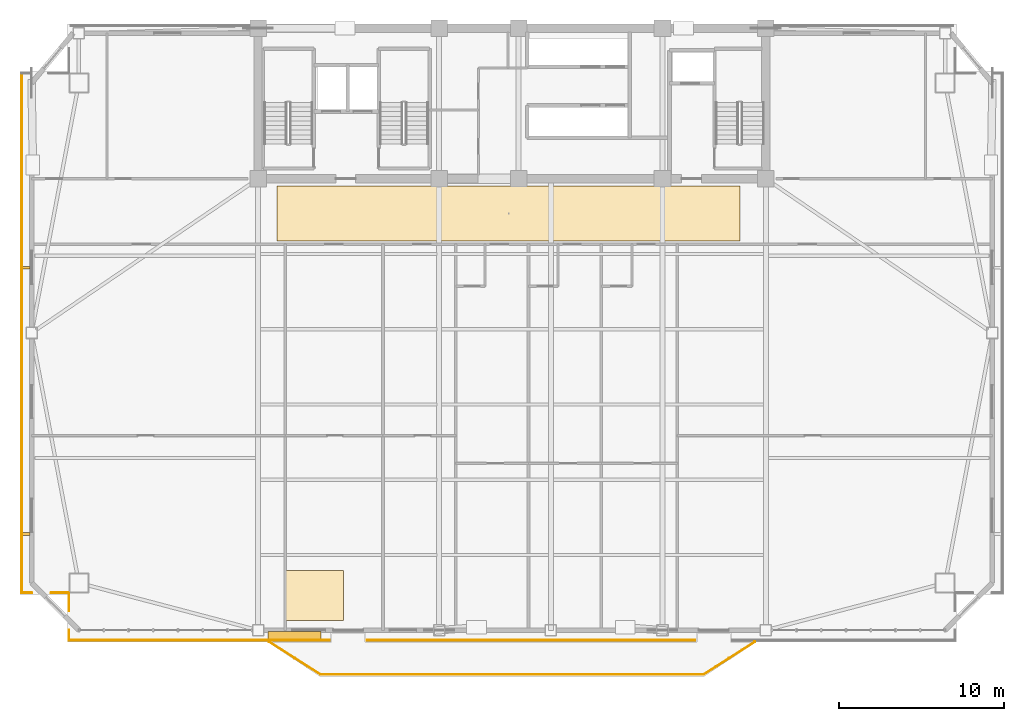
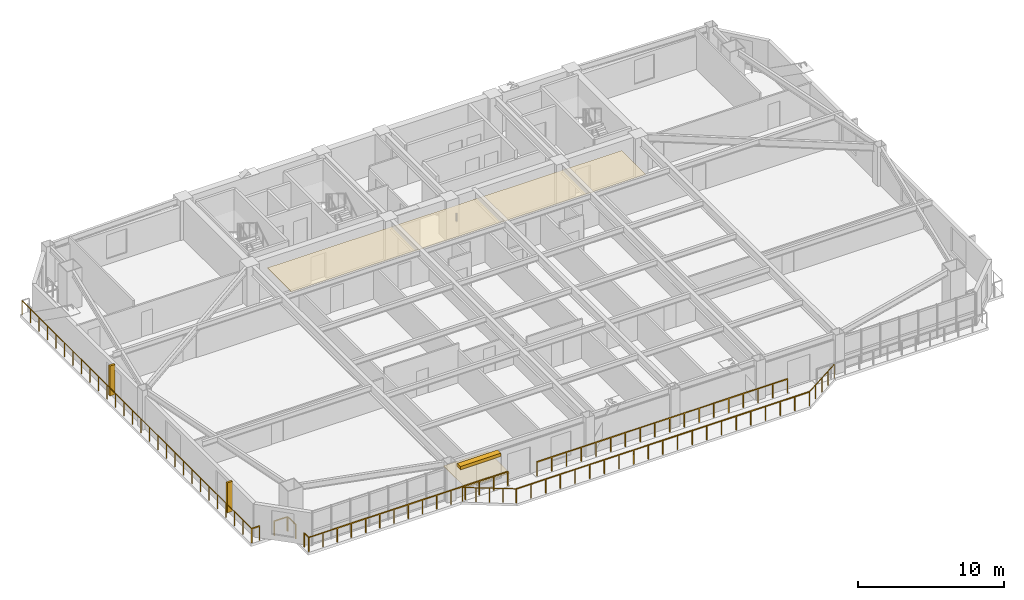
# One storey, part 12 of 15: 10 railings, 3 shading devices, 2 coverings.
"""IFC4 building model written with IfcOpenShell, lengths in metres."""

from ifc_helpers import new_model, si_unit, direction, frame, origin, origin_2d, place, context, subcontext, project, spatial, polyline, rectangle, outline, extrude, source, transform, mapped, material, layer, layer_set, type_object, element, save


model = new_model("IFC4")

# Units and contexts
model_context = context("Model", 3, precision=1e-05, world=origin(), true_north=direction((0.0, 1.0)))
body_context = subcontext(model_context, "Body", "Model", "MODEL_VIEW")
ifc_project = project(units=[si_unit("LENGTHUNIT", "METRE"), si_unit("AREAUNIT", "SQUARE_METRE"), si_unit("VOLUMEUNIT", "CUBIC_METRE"), si_unit("PLANEANGLEUNIT", "RADIAN"), si_unit("MASSUNIT", "GRAM", prefix="KILO")], contexts=[model_context])

# Site, building, storey
site_placement = place(None, origin())
site = spatial("IfcSite", under=ifc_project, at=site_placement, CompositionType="ELEMENT")
building_placement = place(site_placement, origin())
building = spatial("IfcBuilding", under=site, at=building_placement, Name="Giltprow Tower", CompositionType="ELEMENT")
storey_placement = place(building_placement, frame((0.0, 0.0, 180.699951171875)))
storey = spatial("IfcBuildingStorey", under=building, at=storey_placement, Name="L45", CompositionType="ELEMENT", Elevation=180.699951171875)

# Coverings
ifc_material_1 = material(Name="Painted gypsum board", Category="gypsum")
ifc_layer_1 = layer(ifc_material_1, 0.030029296875, Name="Painted gypsum board")
ifc_layer_set_1 = layer_set([ifc_layer_1], Name="Painted gypsum board")
covering_type_1 = type_object("IfcCoveringType", Name="COV-CLG-GYPSUM", PredefinedType="CEILING", material=ifc_layer_set_1)
covering_1_placement = place(storey_placement, frame((0.0, 0.0, 2.6201171875)))
element("IfcCovering", 1, at=covering_1_placement, inside=storey, type_object=covering_type_1, Name="L45 Hotel Corridor Gypsum Ceiling", PredefinedType="CEILING", context=body_context, shape_type="SweptSolid", body=[
    extrude(outline(polyline([(21.0, 33.699951171875), (49.0, 33.699951171875), (49.0, 37.0), (21.0, 37.0), (21.0, 33.699951171875)])), origin(), (0.0, 0.0, 1.0), 0.030029296875),
])
ifc_material_2 = material(Name="Engineered oak", Category="wood")
ifc_layer_2 = layer(ifc_material_2, 0.02490234375, Name="Engineered oak")
ifc_layer_set_2 = layer_set([ifc_layer_2], Name="Engineered oak")
covering_type_2 = type_object("IfcCoveringType", Name="COV-FLR-TIMBER", PredefinedType="FLOORING", material=ifc_layer_set_2)
covering_2_placement = place(storey_placement, origin())
element("IfcCovering", 2, at=covering_2_placement, inside=storey, type_object=covering_type_2, Name="L45 Engineered Oak Guestroom Flooring", PredefinedType="FLOORING", context=body_context, shape_type="SweptSolid", body=[
    extrude(outline(polyline([(21.5, 10.75390625), (25.0, 10.75390625), (25.0, 13.75390625), (21.5, 13.75390625), (21.5, 10.75390625)])), origin(), (0.0, 0.0, 1.0), 0.025146484375),
])

# Railings
ifc_material_3 = material(Name="Anodized bronze", Category="metal")
railing_type = type_object("IfcRailingType", Name="RAIL-BALC-GUARD-1200", PredefinedType="BALUSTRADE", material=ifc_material_3)
railing_1_placement = place(storey_placement, frame((20.52001953125, 9.4541015625, 0.0)))
element("IfcRailing", 3, at=railing_1_placement, inside=storey, type_object=railing_type, Name="L45 Waterfront Balcony Balustrade Seg 1", PredefinedType="BALUSTRADE", context=body_context, shape_type="SweptSolid", body=[
    extrude(rectangle(XDim=0.048095703125, YDim=0.048095703125, at=origin_2d()), frame((0.0, 0.0, 1.17578125), z_axis=(0.84277487735, -0.538266203757, 0.0), x_axis=(0.538266203757, 0.84277487735, 0.0)), (0.0, 0.0, 1.0), 3.678466796875),
    extrude(rectangle(XDim=0.0419921875, YDim=0.0419921875, at=origin_2d()), origin(), (0.0, 0.0, 1.0), 1.15185546875),
    extrude(rectangle(XDim=0.0419921875, YDim=0.0419921875, at=origin_2d()), frame((0.77490234375, -0.4951171875, 0.0)), (0.0, 0.0, 1.0), 1.15185546875),
    extrude(rectangle(XDim=0.0419921875, YDim=0.0419921875, at=origin_2d()), frame((1.550048828125, -0.989990234375, 0.0)), (0.0, 0.0, 1.0), 1.15185546875),
    extrude(rectangle(XDim=0.0419921875, YDim=0.0419921875, at=origin_2d()), frame((2.3251953125, -1.48486328125, 0.0)), (0.0, 0.0, 1.0), 1.15185546875),
    extrude(rectangle(XDim=0.0419921875, YDim=0.0419921875, at=origin_2d()), frame((3.10009765625, -1.97998046875, 0.0)), (0.0, 0.0, 1.0), 1.15185546875),
])
railing_2_placement = place(storey_placement, frame((23.6201171875, 7.47412109375, 0.0)))
element("IfcRailing", 4, at=railing_2_placement, inside=storey, type_object=railing_type, Name="L45 Waterfront Balcony Balustrade Seg 2", PredefinedType="BALUSTRADE", context=body_context, shape_type="SweptSolid", body=[
    extrude(rectangle(XDim=0.048095703125, YDim=0.048095703125, at=origin_2d()), frame((0.0, 0.0, 1.17578125), z_axis=(1.0, 0.0, 0.0), x_axis=(0.0, 1.0, 0.0)), (0.0, 0.0, 1.0), 23.159912109375),
    extrude(rectangle(XDim=0.0419921875, YDim=0.0419921875, at=origin_2d()), origin(), (0.0, 0.0, 1.0), 1.15185546875),
    extrude(rectangle(XDim=0.0419921875, YDim=0.0419921875, at=origin_2d()), frame((1.157958984375, 0.0, 0.0)), (0.0, 0.0, 1.0), 1.15185546875),
    extrude(rectangle(XDim=0.0419921875, YDim=0.0419921875, at=origin_2d()), frame((2.31591796875, 0.0, 0.0)), (0.0, 0.0, 1.0), 1.15185546875),
    extrude(rectangle(XDim=0.0419921875, YDim=0.0419921875, at=origin_2d()), frame((3.473876953125, 0.0, 0.0)), (0.0, 0.0, 1.0), 1.15185546875),
    extrude(rectangle(XDim=0.0419921875, YDim=0.0419921875, at=origin_2d()), frame((4.632080078125, 0.0, 0.0)), (0.0, 0.0, 1.0), 1.15185546875),
    extrude(rectangle(XDim=0.0419921875, YDim=0.0419921875, at=origin_2d()), frame((5.7900390625, 0.0, 0.0)), (0.0, 0.0, 1.0), 1.15185546875),
    extrude(rectangle(XDim=0.0419921875, YDim=0.0419921875, at=origin_2d()), frame((6.947998046875, 0.0, 0.0)), (0.0, 0.0, 1.0), 1.15185546875),
    extrude(rectangle(XDim=0.0419921875, YDim=0.0419921875, at=origin_2d()), frame((8.10595703125, 0.0, 0.0)), (0.0, 0.0, 1.0), 1.15185546875),
    extrude(rectangle(XDim=0.0419921875, YDim=0.0419921875, at=origin_2d()), frame((9.263916015625, 0.0, 0.0)), (0.0, 0.0, 1.0), 1.15185546875),
    extrude(rectangle(XDim=0.0419921875, YDim=0.0419921875, at=origin_2d()), frame((10.421875, 0.0, 0.0)), (0.0, 0.0, 1.0), 1.15185546875),
    extrude(rectangle(XDim=0.0419921875, YDim=0.0419921875, at=origin_2d()), frame((11.580078125, 0.0, 0.0)), (0.0, 0.0, 1.0), 1.15185546875),
    extrude(rectangle(XDim=0.0419921875, YDim=0.0419921875, at=origin_2d()), frame((12.738037109375, 0.0, 0.0)), (0.0, 0.0, 1.0), 1.15185546875),
    extrude(rectangle(XDim=0.0419921875, YDim=0.0419921875, at=origin_2d()), frame((13.89599609375, 0.0, 0.0)), (0.0, 0.0, 1.0), 1.15185546875),
    extrude(rectangle(XDim=0.0419921875, YDim=0.0419921875, at=origin_2d()), frame((15.053955078125, 0.0, 0.0)), (0.0, 0.0, 1.0), 1.15185546875),
    extrude(rectangle(XDim=0.0419921875, YDim=0.0419921875, at=origin_2d()), frame((16.2119140625, 0.0, 0.0)), (0.0, 0.0, 1.0), 1.15185546875),
    extrude(rectangle(XDim=0.0419921875, YDim=0.0419921875, at=origin_2d()), frame((17.369873046875, 0.0, 0.0)), (0.0, 0.0, 1.0), 1.15185546875),
    extrude(rectangle(XDim=0.0419921875, YDim=0.0419921875, at=origin_2d()), frame((18.52783203125, 0.0, 0.0)), (0.0, 0.0, 1.0), 1.15185546875),
    extrude(rectangle(XDim=0.0419921875, YDim=0.0419921875, at=origin_2d()), frame((19.68603515625, 0.0, 0.0)), (0.0, 0.0, 1.0), 1.15185546875),
    extrude(rectangle(XDim=0.0419921875, YDim=0.0419921875, at=origin_2d()), frame((20.843994140625, 0.0, 0.0)), (0.0, 0.0, 1.0), 1.15185546875),
    extrude(rectangle(XDim=0.0419921875, YDim=0.0419921875, at=origin_2d()), frame((22.001953125, 0.0, 0.0)), (0.0, 0.0, 1.0), 1.15185546875),
    extrude(rectangle(XDim=0.0419921875, YDim=0.0419921875, at=origin_2d()), frame((23.159912109375, 0.0, 0.0)), (0.0, 0.0, 1.0), 1.15185546875),
])
railing_3_placement = place(storey_placement, frame((46.780029296875, 7.47412109375, 0.0)))
element("IfcRailing", 5, at=railing_3_placement, inside=storey, type_object=railing_type, Name="L45 Waterfront Balcony Balustrade Seg 3", PredefinedType="BALUSTRADE", context=body_context, shape_type="SweptSolid", body=[
    extrude(rectangle(XDim=0.048095703125, YDim=0.048095703125, at=origin_2d()), frame((0.0, 0.0, 1.17578125), z_axis=(0.842755646126, 0.538296313309, 0.0), x_axis=(-0.538296313309, 0.842755646126, 0.0)), (0.0, 0.0, 1.0), 3.67822265625),
    extrude(rectangle(XDim=0.0419921875, YDim=0.0419921875, at=origin_2d()), origin(), (0.0, 0.0, 1.0), 1.15185546875),
    extrude(rectangle(XDim=0.0419921875, YDim=0.0419921875, at=origin_2d()), frame((0.77490234375, 0.4951171875, 0.0)), (0.0, 0.0, 1.0), 1.15185546875),
    extrude(rectangle(XDim=0.0419921875, YDim=0.0419921875, at=origin_2d()), frame((1.5498046875, 0.989990234375, 0.0)), (0.0, 0.0, 1.0), 1.15185546875),
    extrude(rectangle(XDim=0.0419921875, YDim=0.0419921875, at=origin_2d()), frame((2.324951171875, 1.48486328125, 0.0)), (0.0, 0.0, 1.0), 1.15185546875),
    extrude(rectangle(XDim=0.0419921875, YDim=0.0419921875, at=origin_2d()), frame((3.099853515625, 1.97998046875, 0.0)), (0.0, 0.0, 1.0), 1.15185546875),
])
railing_4_placement = place(storey_placement, frame((8.4150390625, 9.553955078125, 0.0)))
element("IfcRailing", 6, at=railing_4_placement, inside=storey, type_object=railing_type, Name="L45 Corner Apron Edge Balustrade 1", PredefinedType="BALUSTRADE", context=body_context, shape_type="SweptSolid", body=[
    extrude(rectangle(XDim=0.048095703125, YDim=0.048095703125, at=origin_2d()), frame((0.0, 0.0, 1.17578125), z_axis=(0.0, 1.0, 0.0), x_axis=(-1.0, 0.0, 0.0)), (0.0, 0.0, 1.0), 0.6201171875),
    extrude(rectangle(XDim=0.0419921875, YDim=0.0419921875, at=origin_2d()), origin(), (0.0, 0.0, 1.0), 1.15185546875),
    extrude(rectangle(XDim=0.0419921875, YDim=0.0419921875, at=origin_2d()), frame((0.0, 0.6201171875, 0.0)), (0.0, 0.0, 1.0), 1.15185546875),
])
railing_5_placement = place(storey_placement, frame((8.4150390625, 11.333984375, 0.0)))
element("IfcRailing", 7, at=railing_5_placement, inside=storey, type_object=railing_type, Name="L45 Corner Apron Edge Balustrade 2", PredefinedType="BALUSTRADE", context=body_context, shape_type="SweptSolid", body=[
    extrude(rectangle(XDim=0.048095703125, YDim=0.048095703125, at=origin_2d()), frame((0.0, 0.0, 1.17578125), z_axis=(0.0, 1.0, 0.0), x_axis=(-1.0, 0.0, 0.0)), (0.0, 0.0, 1.0), 1.0458984375),
    extrude(rectangle(XDim=0.0419921875, YDim=0.0419921875, at=origin_2d()), origin(), (0.0, 0.0, 1.0), 1.15185546875),
    extrude(rectangle(XDim=0.0419921875, YDim=0.0419921875, at=origin_2d()), frame((0.0, 1.0458984375, 0.0)), (0.0, 0.0, 1.0), 1.15185546875),
])
railing_6_placement = place(storey_placement, frame((8.3798828125, 12.4150390625, 0.0)))
element("IfcRailing", 8, at=railing_6_placement, inside=storey, type_object=railing_type, Name="L45 Corner Apron Edge Balustrade 3", PredefinedType="BALUSTRADE", context=body_context, shape_type="SweptSolid", body=[
    extrude(rectangle(XDim=0.048095703125, YDim=0.048095703125, at=origin_2d()), frame((0.0, 0.0, 1.17578125), z_axis=(-1.0, 0.0, 0.0), x_axis=(0.0, -1.0, 0.0)), (0.0, 0.0, 1.0), 1.0458984375),
    extrude(rectangle(XDim=0.0419921875, YDim=0.0419921875, at=origin_2d()), origin(), (0.0, 0.0, 1.0), 1.15185546875),
    extrude(rectangle(XDim=0.0419921875, YDim=0.0419921875, at=origin_2d()), frame((-1.0458984375, 0.0, 0.0)), (0.0, 0.0, 1.0), 1.15185546875),
])
railing_7_placement = place(storey_placement, frame((6.174072265625, 12.4150390625, 0.0)))
element("IfcRailing", 9, at=railing_7_placement, inside=storey, type_object=railing_type, Name="L45 Corner Apron Edge Balustrade 4", PredefinedType="BALUSTRADE", context=body_context, shape_type="SweptSolid", body=[
    extrude(rectangle(XDim=0.048095703125, YDim=0.048095703125, at=origin_2d()), frame((0.0, 0.0, 1.17578125), z_axis=(-1.0, 0.0, 0.0), x_axis=(0.0, -1.0, 0.0)), (0.0, 0.0, 1.0), 0.6201171875),
    extrude(rectangle(XDim=0.0419921875, YDim=0.0419921875, at=origin_2d()), origin(), (0.0, 0.0, 1.0), 1.15185546875),
    extrude(rectangle(XDim=0.0419921875, YDim=0.0419921875, at=origin_2d()), frame((-0.6201171875, 0.0, 0.0)), (0.0, 0.0, 1.0), 1.15185546875),
])
railing_8_placement = place(storey_placement, frame((5.553955078125, 12.4150390625, 0.0)))
element("IfcRailing", 10, at=railing_8_placement, inside=storey, type_object=railing_type, Name="L45 Corner Apron Edge Balustrade 5", PredefinedType="BALUSTRADE", context=body_context, shape_type="SweptSolid", body=[
    extrude(rectangle(XDim=0.048095703125, YDim=0.048095703125, at=origin_2d()), frame((0.0, 0.0, 1.17578125), z_axis=(0.0, 1.0, 0.0), x_axis=(-1.0, 0.0, 0.0)), (0.0, 0.0, 1.0), 31.424072265625),
    extrude(rectangle(XDim=0.0419921875, YDim=0.0419921875, at=origin_2d()), origin(), (0.0, 0.0, 1.0), 1.15185546875),
    extrude(rectangle(XDim=0.0419921875, YDim=0.0419921875, at=origin_2d()), frame((0.0, 1.163818359375, 0.0)), (0.0, 0.0, 1.0), 1.15185546875),
    extrude(rectangle(XDim=0.0419921875, YDim=0.0419921875, at=origin_2d()), frame((0.0, 2.32763671875, 0.0)), (0.0, 0.0, 1.0), 1.15185546875),
    extrude(rectangle(XDim=0.0419921875, YDim=0.0419921875, at=origin_2d()), frame((0.0, 3.491455078125, 0.0)), (0.0, 0.0, 1.0), 1.15185546875),
    extrude(rectangle(XDim=0.0419921875, YDim=0.0419921875, at=origin_2d()), frame((0.0, 4.655517578125, 0.0)), (0.0, 0.0, 1.0), 1.15185546875),
    extrude(rectangle(XDim=0.0419921875, YDim=0.0419921875, at=origin_2d()), frame((0.0, 5.8193359375, 0.0)), (0.0, 0.0, 1.0), 1.15185546875),
    extrude(rectangle(XDim=0.0419921875, YDim=0.0419921875, at=origin_2d()), frame((0.0, 6.983154296875, 0.0)), (0.0, 0.0, 1.0), 1.15185546875),
    extrude(rectangle(XDim=0.0419921875, YDim=0.0419921875, at=origin_2d()), frame((0.0, 8.14697265625, 0.0)), (0.0, 0.0, 1.0), 1.15185546875),
    extrude(rectangle(XDim=0.0419921875, YDim=0.0419921875, at=origin_2d()), frame((0.0, 9.310791015625, 0.0)), (0.0, 0.0, 1.0), 1.15185546875),
    extrude(rectangle(XDim=0.0419921875, YDim=0.0419921875, at=origin_2d()), frame((0.0, 10.474609375, 0.0)), (0.0, 0.0, 1.0), 1.15185546875),
    extrude(rectangle(XDim=0.0419921875, YDim=0.0419921875, at=origin_2d()), frame((0.0, 11.638427734375, 0.0)), (0.0, 0.0, 1.0), 1.15185546875),
    extrude(rectangle(XDim=0.0419921875, YDim=0.0419921875, at=origin_2d()), frame((0.0, 12.802490234375, 0.0)), (0.0, 0.0, 1.0), 1.15185546875),
    extrude(rectangle(XDim=0.0419921875, YDim=0.0419921875, at=origin_2d()), frame((0.0, 13.96630859375, 0.0)), (0.0, 0.0, 1.0), 1.15185546875),
    extrude(rectangle(XDim=0.0419921875, YDim=0.0419921875, at=origin_2d()), frame((0.0, 15.130126953125, 0.0)), (0.0, 0.0, 1.0), 1.15185546875),
    extrude(rectangle(XDim=0.0419921875, YDim=0.0419921875, at=origin_2d()), frame((0.0, 16.2939453125, 0.0)), (0.0, 0.0, 1.0), 1.15185546875),
    extrude(rectangle(XDim=0.0419921875, YDim=0.0419921875, at=origin_2d()), frame((0.0, 17.457763671875, 0.0)), (0.0, 0.0, 1.0), 1.15185546875),
    extrude(rectangle(XDim=0.0419921875, YDim=0.0419921875, at=origin_2d()), frame((0.0, 18.62158203125, 0.0)), (0.0, 0.0, 1.0), 1.15185546875),
    extrude(rectangle(XDim=0.0419921875, YDim=0.0419921875, at=origin_2d()), frame((0.0, 19.78564453125, 0.0)), (0.0, 0.0, 1.0), 1.15185546875),
    extrude(rectangle(XDim=0.0419921875, YDim=0.0419921875, at=origin_2d()), frame((0.0, 20.949462890625, 0.0)), (0.0, 0.0, 1.0), 1.15185546875),
    extrude(rectangle(XDim=0.0419921875, YDim=0.0419921875, at=origin_2d()), frame((0.0, 22.11328125, 0.0)), (0.0, 0.0, 1.0), 1.15185546875),
    extrude(rectangle(XDim=0.0419921875, YDim=0.0419921875, at=origin_2d()), frame((0.0, 23.277099609375, 0.0)), (0.0, 0.0, 1.0), 1.15185546875),
    extrude(rectangle(XDim=0.0419921875, YDim=0.0419921875, at=origin_2d()), frame((0.0, 24.44091796875, 0.0)), (0.0, 0.0, 1.0), 1.15185546875),
    extrude(rectangle(XDim=0.0419921875, YDim=0.0419921875, at=origin_2d()), frame((0.0, 25.604736328125, 0.0)), (0.0, 0.0, 1.0), 1.15185546875),
    extrude(rectangle(XDim=0.0419921875, YDim=0.0419921875, at=origin_2d()), frame((0.0, 26.7685546875, 0.0)), (0.0, 0.0, 1.0), 1.15185546875),
    extrude(rectangle(XDim=0.0419921875, YDim=0.0419921875, at=origin_2d()), frame((0.0, 27.9326171875, 0.0)), (0.0, 0.0, 1.0), 1.15185546875),
    extrude(rectangle(XDim=0.0419921875, YDim=0.0419921875, at=origin_2d()), frame((0.0, 29.096435546875, 0.0)), (0.0, 0.0, 1.0), 1.15185546875),
    extrude(rectangle(XDim=0.0419921875, YDim=0.0419921875, at=origin_2d()), frame((0.0, 30.26025390625, 0.0)), (0.0, 0.0, 1.0), 1.15185546875),
    extrude(rectangle(XDim=0.0419921875, YDim=0.0419921875, at=origin_2d()), frame((0.0, 31.424072265625, 0.0)), (0.0, 0.0, 1.0), 1.15185546875),
])
railing_9_placement = place(storey_placement, frame((46.25, 9.553955078125, 0.0)))
element("IfcRailing", 11, at=railing_9_placement, inside=storey, type_object=railing_type, Name="L45 Corner Apron Edge Balustrade 20", PredefinedType="BALUSTRADE", context=body_context, shape_type="SweptSolid", body=[
    extrude(rectangle(XDim=0.048095703125, YDim=0.048095703125, at=origin_2d()), frame((0.0, 0.0, 1.17578125), z_axis=(-1.0, 0.0, 0.0), x_axis=(0.0, -1.0, 0.0)), (0.0, 0.0, 1.0), 19.800048828125),
    extrude(rectangle(XDim=0.0419921875, YDim=0.0419921875, at=origin_2d()), origin(), (0.0, 0.0, 1.0), 1.15185546875),
    extrude(rectangle(XDim=0.0419921875, YDim=0.0419921875, at=origin_2d()), frame((-1.164794921875, 0.0, 0.0)), (0.0, 0.0, 1.0), 1.15185546875),
    extrude(rectangle(XDim=0.0419921875, YDim=0.0419921875, at=origin_2d()), frame((-2.329345703125, 0.0, 0.0)), (0.0, 0.0, 1.0), 1.15185546875),
    extrude(rectangle(XDim=0.0419921875, YDim=0.0419921875, at=origin_2d()), frame((-3.494140625, 0.0, 0.0)), (0.0, 0.0, 1.0), 1.15185546875),
    extrude(rectangle(XDim=0.0419921875, YDim=0.0419921875, at=origin_2d()), frame((-4.658935546875, 0.0, 0.0)), (0.0, 0.0, 1.0), 1.15185546875),
    extrude(rectangle(XDim=0.0419921875, YDim=0.0419921875, at=origin_2d()), frame((-5.823486328125, 0.0, 0.0)), (0.0, 0.0, 1.0), 1.15185546875),
    extrude(rectangle(XDim=0.0419921875, YDim=0.0419921875, at=origin_2d()), frame((-6.98828125, 0.0, 0.0)), (0.0, 0.0, 1.0), 1.15185546875),
    extrude(rectangle(XDim=0.0419921875, YDim=0.0419921875, at=origin_2d()), frame((-8.153076171875, 0.0, 0.0)), (0.0, 0.0, 1.0), 1.15185546875),
    extrude(rectangle(XDim=0.0419921875, YDim=0.0419921875, at=origin_2d()), frame((-9.317626953125, 0.0, 0.0)), (0.0, 0.0, 1.0), 1.15185546875),
    extrude(rectangle(XDim=0.0419921875, YDim=0.0419921875, at=origin_2d()), frame((-10.482421875, 0.0, 0.0)), (0.0, 0.0, 1.0), 1.15185546875),
    extrude(rectangle(XDim=0.0419921875, YDim=0.0419921875, at=origin_2d()), frame((-11.64697265625, 0.0, 0.0)), (0.0, 0.0, 1.0), 1.15185546875),
    extrude(rectangle(XDim=0.0419921875, YDim=0.0419921875, at=origin_2d()), frame((-12.811767578125, 0.0, 0.0)), (0.0, 0.0, 1.0), 1.15185546875),
    extrude(rectangle(XDim=0.0419921875, YDim=0.0419921875, at=origin_2d()), frame((-13.9765625, 0.0, 0.0)), (0.0, 0.0, 1.0), 1.15185546875),
    extrude(rectangle(XDim=0.0419921875, YDim=0.0419921875, at=origin_2d()), frame((-15.14111328125, 0.0, 0.0)), (0.0, 0.0, 1.0), 1.15185546875),
    extrude(rectangle(XDim=0.0419921875, YDim=0.0419921875, at=origin_2d()), frame((-16.305908203125, 0.0, 0.0)), (0.0, 0.0, 1.0), 1.15185546875),
    extrude(rectangle(XDim=0.0419921875, YDim=0.0419921875, at=origin_2d()), frame((-17.470703125, 0.0, 0.0)), (0.0, 0.0, 1.0), 1.15185546875),
    extrude(rectangle(XDim=0.0419921875, YDim=0.0419921875, at=origin_2d()), frame((-18.63525390625, 0.0, 0.0)), (0.0, 0.0, 1.0), 1.15185546875),
    extrude(rectangle(XDim=0.0419921875, YDim=0.0419921875, at=origin_2d()), frame((-19.800048828125, 0.0, 0.0)), (0.0, 0.0, 1.0), 1.15185546875),
])
railing_10_placement = place(storey_placement, frame((24.14990234375, 9.553955078125, 0.0)))
element("IfcRailing", 12, at=railing_10_placement, inside=storey, type_object=railing_type, Name="L45 Corner Apron Edge Balustrade 21", PredefinedType="BALUSTRADE", context=body_context, shape_type="SweptSolid", body=[
    extrude(rectangle(XDim=0.048095703125, YDim=0.048095703125, at=origin_2d()), frame((0.0, 0.0, 1.17578125), z_axis=(-1.0, 0.0, 0.0), x_axis=(0.0, -1.0, 0.0)), (0.0, 0.0, 1.0), 15.73486328125),
    extrude(rectangle(XDim=0.0419921875, YDim=0.0419921875, at=origin_2d()), origin(), (0.0, 0.0, 1.0), 1.15185546875),
    extrude(rectangle(XDim=0.0419921875, YDim=0.0419921875, at=origin_2d()), frame((-1.1240234375, 0.0, 0.0)), (0.0, 0.0, 1.0), 1.15185546875),
    extrude(rectangle(XDim=0.0419921875, YDim=0.0419921875, at=origin_2d()), frame((-2.247802734375, 0.0, 0.0)), (0.0, 0.0, 1.0), 1.15185546875),
    extrude(rectangle(XDim=0.0419921875, YDim=0.0419921875, at=origin_2d()), frame((-3.371826171875, 0.0, 0.0)), (0.0, 0.0, 1.0), 1.15185546875),
    extrude(rectangle(XDim=0.0419921875, YDim=0.0419921875, at=origin_2d()), frame((-4.49560546875, 0.0, 0.0)), (0.0, 0.0, 1.0), 1.15185546875),
    extrude(rectangle(XDim=0.0419921875, YDim=0.0419921875, at=origin_2d()), frame((-5.61962890625, 0.0, 0.0)), (0.0, 0.0, 1.0), 1.15185546875),
    extrude(rectangle(XDim=0.0419921875, YDim=0.0419921875, at=origin_2d()), frame((-6.743408203125, 0.0, 0.0)), (0.0, 0.0, 1.0), 1.15185546875),
    extrude(rectangle(XDim=0.0419921875, YDim=0.0419921875, at=origin_2d()), frame((-7.867431640625, 0.0, 0.0)), (0.0, 0.0, 1.0), 1.15185546875),
    extrude(rectangle(XDim=0.0419921875, YDim=0.0419921875, at=origin_2d()), frame((-8.991455078125, 0.0, 0.0)), (0.0, 0.0, 1.0), 1.15185546875),
    extrude(rectangle(XDim=0.0419921875, YDim=0.0419921875, at=origin_2d()), frame((-10.115234375, 0.0, 0.0)), (0.0, 0.0, 1.0), 1.15185546875),
    extrude(rectangle(XDim=0.0419921875, YDim=0.0419921875, at=origin_2d()), frame((-11.2392578125, 0.0, 0.0)), (0.0, 0.0, 1.0), 1.15185546875),
    extrude(rectangle(XDim=0.0419921875, YDim=0.0419921875, at=origin_2d()), frame((-12.363037109375, 0.0, 0.0)), (0.0, 0.0, 1.0), 1.15185546875),
    extrude(rectangle(XDim=0.0419921875, YDim=0.0419921875, at=origin_2d()), frame((-13.487060546875, 0.0, 0.0)), (0.0, 0.0, 1.0), 1.15185546875),
    extrude(rectangle(XDim=0.0419921875, YDim=0.0419921875, at=origin_2d()), frame((-14.61083984375, 0.0, 0.0)), (0.0, 0.0, 1.0), 1.15185546875),
    extrude(rectangle(XDim=0.0419921875, YDim=0.0419921875, at=origin_2d()), frame((-15.73486328125, 0.0, 0.0)), (0.0, 0.0, 1.0), 1.15185546875),
])

# Shading devices
shading_device_type_1 = type_object("IfcShadingDeviceType", Name="SHD-FIN-420", PredefinedType="USERDEFINED", material=ifc_material_3)
shared_shape_1 = source(origin(), body_context, "Body", "SweptSolid", [
    extrude(rectangle(XDim=0.419921875, YDim=0.159912109375, at=origin_2d()), origin(), (0.0, 0.0, 1.0), 2.5),
])
for number, where, z_axis, x_axis, name in (
    (13, (5.85400390625, 15.972900390625, 0.35009765625), (0.0, 0.0, 1.0), (1.0, 0.0, 0.0), "L45 W Bronze Vertical Fin 1-1"),
    (14, (5.85400390625, 32.06298828125, 0.35009765625), (0.0, 0.0, 1.0), (1.0, 0.0, 0.0), "L45 W Bronze Vertical Fin 2-1"),
):
    element("IfcShadingDevice", number, at=place(storey_placement, frame(where, z_axis=z_axis, x_axis=x_axis)), inside=storey, type_object=shading_device_type_1, Name=name, ObjectType="FIN", PredefinedType="USERDEFINED", context=body_context, shape_type="MappedRepresentation", body=[
        mapped(shared_shape_1, transform((0.0, 0.0, 0.0), x_axis=(1.0, 0.0, 0.0), y_axis=(0.0, 1.0, 0.0), z_axis=(0.0, 0.0, 1.0), scale=1.0)),
    ])
shading_device_type_2 = type_object("IfcShadingDeviceType", Name="SHD-LOUVRE-320", PredefinedType="JALOUSIE", material=ifc_material_3)
shared_shape_2 = source(origin(), body_context, "Body", "SweptSolid", [
    extrude(rectangle(XDim=3.199951171875, YDim=0.449951171875, at=origin_2d()), origin(), (0.0, 0.0, 1.0), 0.280029296875),
])
shading_device_placement = place(storey_placement, frame((22.050048828125, 9.85400390625, 2.56005859375), z_axis=(0.0, 0.0, 1.0), x_axis=(1.0, 0.0, 0.0)))
element("IfcShadingDevice", 15, at=shading_device_placement, inside=storey, type_object=shading_device_type_2, Name="L45 Bronze Sunshade Louvre S-2", PredefinedType="JALOUSIE", context=body_context, shape_type="MappedRepresentation", body=[
    mapped(shared_shape_2, transform((0.0, 0.0, 0.0), x_axis=(1.0, 0.0, 0.0), y_axis=(0.0, 1.0, 0.0), z_axis=(0.0, 0.0, 1.0), scale=1.0)),
])

save(model, "model.ifc")
